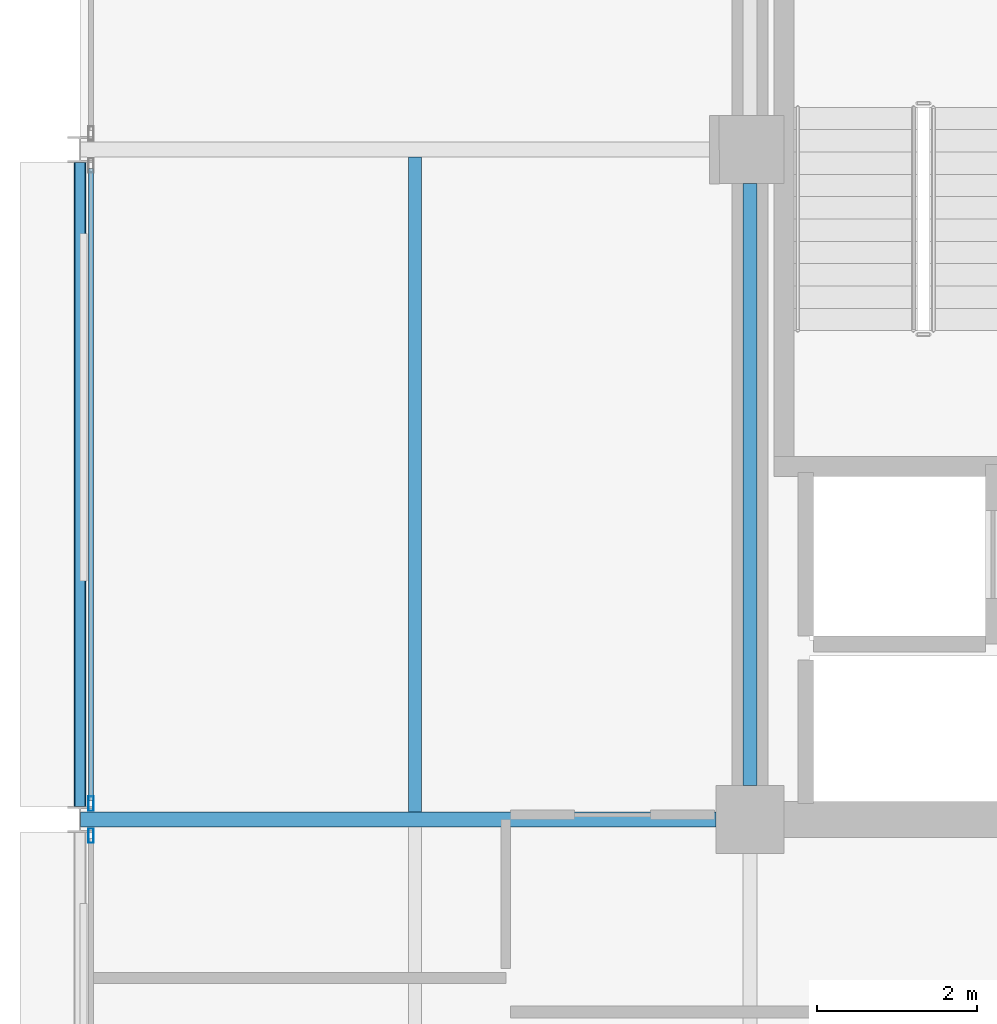
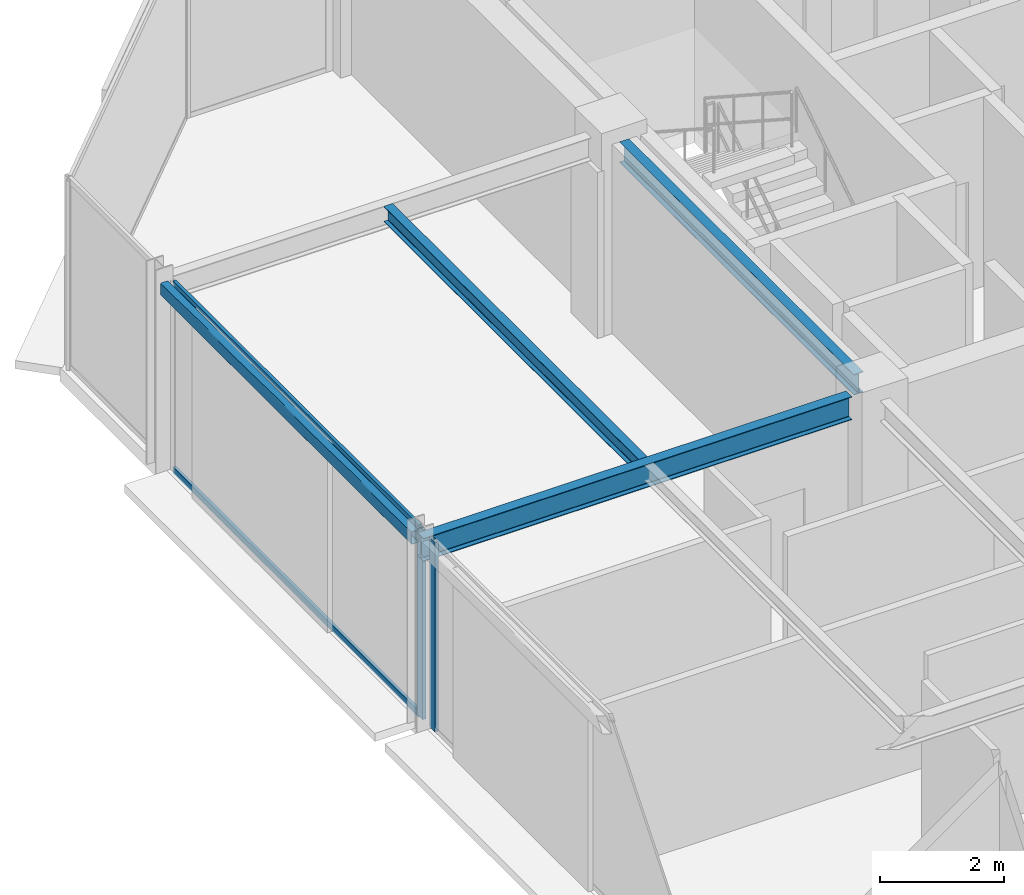
# One storey, part 11 of 25: 4 beams, 4 members, 2 elements without a shape of their own.
"""IFC4 building model written with IfcOpenShell, lengths in metres."""

from ifc_helpers import new_model, si_unit, direction, frame, origin, origin_2d, place, context, subcontext, project, spatial, hollow_rectangle, i_section, extrude, material, layer, layer_set, material_profile, profile_set, type_object, element, aggregate, save


model = new_model("IFC4")

# Units and contexts
model_context = context("Model", 3, precision=1e-05, world=origin(), true_north=direction((0.0, 1.0)))
body_context = subcontext(model_context, "Body", "Model", "MODEL_VIEW")
ifc_project = project(units=[si_unit("LENGTHUNIT", "METRE"), si_unit("AREAUNIT", "SQUARE_METRE"), si_unit("VOLUMEUNIT", "CUBIC_METRE"), si_unit("PLANEANGLEUNIT", "RADIAN"), si_unit("MASSUNIT", "GRAM", prefix="KILO")], contexts=[model_context])

# Site, building, storey
site_placement = place(None, origin())
site = spatial("IfcSite", under=ifc_project, at=site_placement, CompositionType="ELEMENT")
building_placement = place(site_placement, origin())
building = spatial("IfcBuilding", under=site, at=building_placement, Name="Nerrivon Quay Data Exchange", CompositionType="ELEMENT")
storey_placement = place(building_placement, frame((0.0, 0.0, 314.199951171875)))
storey = spatial("IfcBuildingStorey", under=building, at=storey_placement, Name="L75", CompositionType="ELEMENT", Elevation=314.199951171875)

# Beams
ifc_material_1 = material(Name="Steel Grade 350", Category="steel")
ifc_material_profile_1 = material_profile(ifc_material_1, i_section(OverallWidth=0.18994140625, OverallDepth=0.4541015625, WebThickness=0.008544921875, FlangeThickness=0.0126953125, FilletRadius=0.011474609375, at=origin_2d()), Name="460UB67.1")
ifc_profile_set_1 = profile_set([ifc_material_profile_1], Name="Steel Grade 350")
beam_type_1 = type_object("IfcBeamType", Name="BM-G6-460UB67", PredefinedType="BEAM", material=ifc_profile_set_1)
beam_1_placement = place(storey_placement, frame((0.0078125, 25.199951171875, 3.498046875), z_axis=(1.0, 0.0, 0.0), x_axis=(0.0, 1.0, 0.0)))
element("IfcBeam", 1, at=beam_1_placement, inside=storey, type_object=beam_type_1, Name="L75 EW Girder Y=25.2 (0.0..8.4)", PredefinedType="BEAM", context=body_context, shape_type="SweptSolid", body=[
    extrude(i_section(OverallWidth=0.18994140625, OverallDepth=0.4541015625, WebThickness=0.008544921875, FlangeThickness=0.0126953125, FilletRadius=0.011474609375, at=origin_2d()), origin(), (0.0, 0.0, 1.0), 7.96728515625),
])
ifc_material_profile_2 = material_profile(ifc_material_1, i_section(OverallWidth=0.177978515625, OverallDepth=0.406005859375, WebThickness=0.0078125, FlangeThickness=0.0126953125, FilletRadius=0.011474609375, at=origin_2d()), Name="410UB59.7")
ifc_profile_set_2 = profile_set([ifc_material_profile_2], Name="Steel Grade 350")
beam_type_2 = type_object("IfcBeamType", Name="BM-J1-410UB60", PredefinedType="JOIST", material=ifc_profile_set_2)
beam_2_placement = place(storey_placement, frame((8.39990234375, 25.625, 3.52197265625), z_axis=(0.0, 1.0, 0.0), x_axis=(-1.0, 0.0, 0.0)))
element("IfcBeam", 2, at=beam_2_placement, inside=storey, type_object=beam_type_2, Name="L75 NS Girder X=8.4 (25.2..33.6)", PredefinedType="JOIST", context=body_context, shape_type="SweptSolid", body=[
    extrude(i_section(OverallWidth=0.177978515625, OverallDepth=0.406005859375, WebThickness=0.0078125, FlangeThickness=0.0126953125, FilletRadius=0.011474609375, at=origin_2d()), origin(), (0.0, 0.0, 1.0), 7.550048828125),
])
ifc_material_profile_3 = material_profile(ifc_material_1, i_section(OverallWidth=0.1650390625, OverallDepth=0.303955078125, WebThickness=0.006103515625, FlangeThickness=0.01025390625, FilletRadius=0.011474609375, at=origin_2d()), Name="310UB40.4")
ifc_profile_set_3 = profile_set([ifc_material_profile_3], Name="Steel Grade 350")
beam_type_3 = type_object("IfcBeamType", Name="BM-J6-310UB40", PredefinedType="JOIST", material=ifc_profile_set_3)
beam_3_placement = place(storey_placement, frame((4.199951171875, 25.294921875, 3.572998046875), z_axis=(0.0, 1.0, 0.0), x_axis=(-1.0, 0.0, 0.0)))
element("IfcBeam", 3, at=beam_3_placement, inside=storey, type_object=beam_type_3, Name="L75 Secondary Joist X=4.2 (25.2..33.6)", PredefinedType="JOIST", context=body_context, shape_type="SweptSolid", body=[
    extrude(i_section(OverallWidth=0.1650390625, OverallDepth=0.303955078125, WebThickness=0.006103515625, FlangeThickness=0.01025390625, FilletRadius=0.011474609375, at=origin_2d()), origin(), (0.0, 0.0, 1.0), 8.2099609375),
])
ifc_material_2 = material(Name="Steel Grade C350L0 (350 MPa)", Category="steel")
ifc_material_profile_4 = material_profile(ifc_material_2, hollow_rectangle(XDim=0.14990234375, YDim=0.25, WallThickness=0.009033203125, InnerFilletRadius=0.013427734375, OuterFilletRadius=0.0224609375, at=origin_2d()), Name="250x150x9.0RHS")
ifc_profile_set_4 = profile_set([ifc_material_profile_4], Name="Steel Grade C350L0 (350 MPa)")
beam_type_4 = type_object("IfcBeamType", Name="BM-SP4-250x150RHS", PredefinedType="SPANDREL", material=ifc_profile_set_4)
beam_4_placement = place(storey_placement, frame((0.0, 25.363525390625, 3.60009765625), z_axis=(0.0, 1.0, 0.0), x_axis=(-1.0, 0.0, 0.0)))
element("IfcBeam", 4, at=beam_4_placement, inside=storey, type_object=beam_type_4, Name="L75 NS Girder X=0.0 (25.2..33.6)", PredefinedType="SPANDREL", context=body_context, shape_type="SweptSolid", body=[
    extrude(hollow_rectangle(XDim=0.14990234375, YDim=0.25, WallThickness=0.009033203125, InnerFilletRadius=0.013427734375, OuterFilletRadius=0.0224609375, at=origin_2d()), origin(), (0.0, 0.0, 1.0), 8.072998046875),
])

# Curtain wall, member
ifc_material_3 = material(Name="Anodised aluminium 6063-T6", Category="aluminium")
ifc_layer = layer(ifc_material_3, 0.195068359375)
ifc_layer_set = layer_set([ifc_layer], Name="Anodised aluminium 6063-T6")
curtain_wall_type = type_object("IfcCurtainWallType", Name="CW-SYS-06", PredefinedType="NOTDEFINED", material=ifc_layer_set)
curtain_wall_1_placement = place(storey_placement, origin())
curtain_wall_1 = element("IfcCurtainWall", 5, at=curtain_wall_1_placement, inside=storey, type_object=curtain_wall_type, Name="L75 Unitised Curtain Wall 10", PredefinedType="NOTDEFINED")
ifc_material_profile_5 = material_profile(ifc_material_3, hollow_rectangle(XDim=0.06494140625, YDim=0.179931640625, WallThickness=0.00341796875, at=origin_2d()), Name="ALU-MULL-180x65")
ifc_profile_set_5 = profile_set([ifc_material_profile_5], Name="Anodised aluminium 6063-T6")
member_type_1 = type_object("IfcMemberType", Name="CWM-180x65", PredefinedType="MULLION", material=ifc_profile_set_5)
member_1_placement = place(storey_placement, frame((0.139892578125, 24.9990234375, 0.0), z_axis=(0.0, 0.0, 1.0), x_axis=(-1.0, 0.0, 0.0)))
member_1 = element("IfcMember", 6, at=member_1_placement, type_object=member_type_1, Name="CW06 mullion 2", PredefinedType="MULLION", context=body_context, shape_type="SweptSolid", body=[
    extrude(hollow_rectangle(XDim=0.06494140625, YDim=0.179931640625, WallThickness=0.00341796875, at=origin_2d()), origin(), (0.0, 0.0, 1.0), 3.72509765625),
])
aggregate(curtain_wall_1, [member_1])

# Curtain wall, members
curtain_wall_2_placement = place(storey_placement, origin())
curtain_wall_2 = element("IfcCurtainWall", 7, at=curtain_wall_2_placement, inside=storey, type_object=curtain_wall_type, Name="L75 Unitised Curtain Wall 11", PredefinedType="NOTDEFINED")
member_2_placement = place(storey_placement, frame((0.139892578125, 25.40087890625, 0.0), z_axis=(0.0, 0.0, 1.0), x_axis=(-1.0, 0.0, 0.0)))
member_2 = element("IfcMember", 8, at=member_2_placement, type_object=member_type_1, Name="CW06 mullion 1", PredefinedType="MULLION", context=body_context, shape_type="SweptSolid", body=[
    extrude(hollow_rectangle(XDim=0.06494140625, YDim=0.179931640625, WallThickness=0.00341796875, at=origin_2d()), origin(), (0.0, 0.0, 1.0), 3.72509765625),
])
ifc_material_profile_6 = material_profile(ifc_material_3, hollow_rectangle(XDim=0.06005859375, YDim=0.1201171875, WallThickness=0.003173828125, at=origin_2d()), Name="ALU-TRAN-120x60")
ifc_profile_set_6 = profile_set([ifc_material_profile_6], Name="Anodised aluminium 6063-T6")
member_type_2 = type_object("IfcMemberType", Name="CWT-120x60", PredefinedType="USERDEFINED", material=ifc_profile_set_6)
member_3_placement = place(storey_placement, frame((0.139892578125, 25.4384765625, 0.032470703125), z_axis=(0.0, 1.0, 0.0), x_axis=(-1.0, 0.0, 0.0)))
member_3 = element("IfcMember", 9, at=member_3_placement, type_object=member_type_2, Name="CW06 transom 1.1", ObjectType="TRANSOM", PredefinedType="USERDEFINED", context=body_context, shape_type="SweptSolid", body=[
    extrude(hollow_rectangle(XDim=0.06005859375, YDim=0.1201171875, WallThickness=0.003173828125, at=origin_2d()), origin(), (0.0, 0.0, 1.0), 7.923095703125),
])
member_4_placement = place(storey_placement, frame((0.139892578125, 25.4384765625, 3.692626953125), z_axis=(0.0, 1.0, 0.0), x_axis=(-1.0, 0.0, 0.0)))
member_4 = element("IfcMember", 10, at=member_4_placement, type_object=member_type_2, Name="CW06 transom 1.2", ObjectType="TRANSOM", PredefinedType="USERDEFINED", context=body_context, shape_type="SweptSolid", body=[
    extrude(hollow_rectangle(XDim=0.06005859375, YDim=0.1201171875, WallThickness=0.003173828125, at=origin_2d()), origin(), (0.0, 0.0, 1.0), 7.923095703125),
])
aggregate(curtain_wall_2, [member_2, member_3, member_4])

save(model, "model.ifc")
